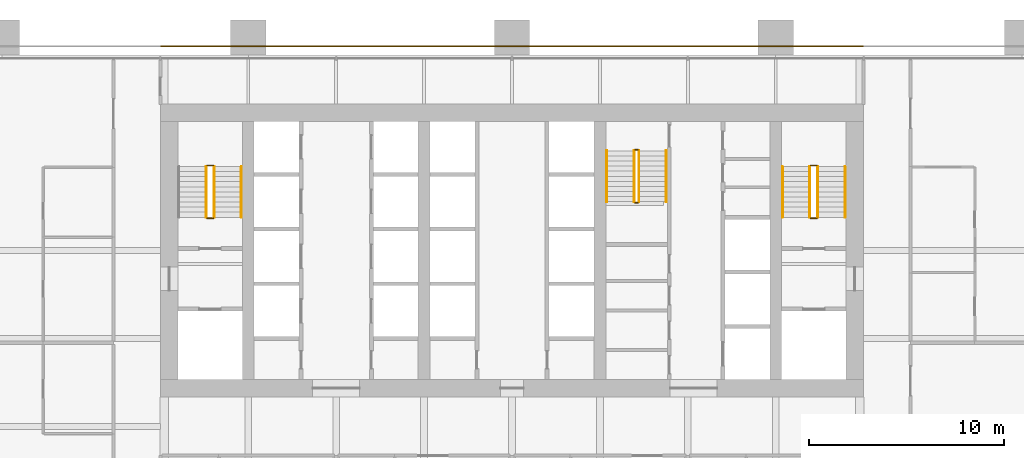
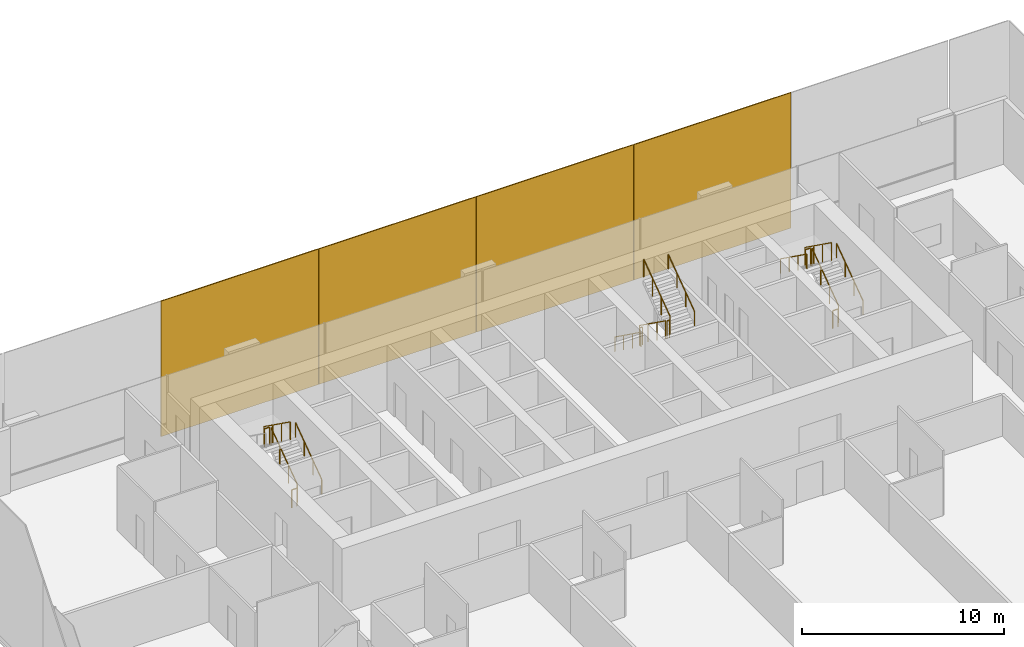
# One storey, part 17 of 18: 17 railings, 4 coverings.
"""IFC4 building model written with IfcOpenShell, lengths in metres."""

import ifcopenshell
import ifcopenshell.guid

model = None  # the IFC model being written
_history = None  # IfcOwnerHistory: only IFC2X3 demands one
_inside = {}  # id of a spatial element -> (the spatial element, [elements in it])
_under = {}  # id of a project, library or spatial element -> (it, [spatial elements below it])
_declared = {}  # id of a project -> (the project, [libraries it declares])
_typed = {}  # id of a type object -> (the type object, [elements of that type])
_made_of = {}  # id of a material, layer set ... -> (it, [elements and type objects made of it])


def new_model(schema):
    """Start an empty IFC model of exactly this schema.

    Asked for "IFC4X3", IfcOpenShell would pick the latest addendum, in which some entities
    have other attributes; the version numbers below select the first issue.
    IFC2X3 requires an IfcOwnerHistory on every rooted entity: one is made here for all.
    """
    global model, _history
    if schema == "IFC4X3":
        model = ifcopenshell.file(schema_version=(4, 3, 0, 0))
    else:
        model = ifcopenshell.file(schema=schema)
    _inside.clear()
    _under.clear()
    _declared.clear()
    _typed.clear()
    _made_of.clear()
    _history = None
    if model.schema == "IFC2X3":
        org = make("IfcOrganization", Name="unknown")
        user = make(
            "IfcPersonAndOrganization",
            ThePerson=make("IfcPerson", FamilyName="unknown"),
            TheOrganization=org,
        )
        app = make(
            "IfcApplication",
            ApplicationDeveloper=org,
            Version="unknown",
            ApplicationFullName="unknown",
            ApplicationIdentifier="unknown",
        )
        _history = make(
            "IfcOwnerHistory",
            OwningUser=user,
            OwningApplication=app,
            ChangeAction="ADDED",
            CreationDate=0,
        )
    return model


def make(cls, **values):
    """One entity of the class cls with the attributes given. An attribute that is None is left unset."""
    return model.create_entity(
        cls, **{name: value for name, value in values.items() if value is not None}
    )


def rooted(cls, **values):
    """An entity with a GlobalId (a new one), such as an element, a storey or a relation."""
    return make(cls, GlobalId=ifcopenshell.guid.new(), OwnerHistory=_history, **values)


def si_unit(unit_type, name, prefix=None):
    """IfcSIUnit, for example si_unit("LENGTHUNIT", "METRE", prefix="MILLI")."""
    return make("IfcSIUnit", UnitType=unit_type, Prefix=prefix, Name=name)


def assignment(units):
    """IfcUnitAssignment: the units of a project."""
    return None if units is None else make("IfcUnitAssignment", Units=units)


def point(xyz):
    """IfcCartesianPoint."""
    return None if xyz is None else make("IfcCartesianPoint", Coordinates=xyz)


def direction(xyz):
    """IfcDirection."""
    return None if xyz is None else make("IfcDirection", DirectionRatios=xyz)


def frame(location, z_axis=None, x_axis=None):
    """IfcAxis2Placement3D, a coordinate frame: its origin and axes. An axis left out is left unset."""
    return make(
        "IfcAxis2Placement3D",
        Location=point(location),
        Axis=direction(z_axis),
        RefDirection=direction(x_axis),
    )


def frame_2d(location, x_axis=None):
    """IfcAxis2Placement2D, a coordinate frame in the plane: its origin and x axis."""
    return make(
        "IfcAxis2Placement2D", Location=point(location), RefDirection=direction(x_axis)
    )


def origin():
    """The frame at (0, 0, 0) with its axes left unset."""
    return frame((0.0, 0.0, 0.0))


def origin_2d():
    """The frame at (0, 0) in the plane with its x axis left unset."""
    return frame_2d((0.0, 0.0))


def place(relative_to, where):
    """IfcLocalPlacement: puts the frame where relative to a parent placement (None: the world)."""
    return make(
        "IfcLocalPlacement", PlacementRelTo=relative_to, RelativePlacement=where
    )


def context(
    kind, dimensions, precision=None, world=None, true_north=None, identifier=None
):
    """IfcGeometricRepresentationContext, for example the 3D "Model" context."""
    return make(
        "IfcGeometricRepresentationContext",
        ContextIdentifier=identifier,
        ContextType=kind,
        CoordinateSpaceDimension=dimensions,
        Precision=precision,
        WorldCoordinateSystem=world,
        TrueNorth=true_north,
    )


def subcontext(parent, identifier, kind, view, scale=None):
    """IfcGeometricRepresentationSubContext, for example "Body" below "Model"."""
    return make(
        "IfcGeometricRepresentationSubContext",
        ContextIdentifier=identifier,
        ContextType=kind,
        ParentContext=parent,
        TargetScale=scale,
        TargetView=view,
    )


def project(units=None, contexts=None):
    """IfcProject with its units and contexts."""
    return rooted(
        "IfcProject",
        Name="project",
        RepresentationContexts=contexts,
        UnitsInContext=assignment(units),
    )


def spatial(cls, under=None, at=None, **own):
    """A site, building, storey or space (cls), placed at a placement, below another one or the project."""
    s = rooted(cls, ObjectPlacement=at, **own)
    if under is not None:
        _under.setdefault(under.id(), (under, []))[1].append(s)
    return s


def profile(cls, at=None, kind="AREA", **sizes):
    """A parametric profile (cls). Its sizes go by their IFC names, for example OverallWidth=200.0."""
    return make(cls, ProfileType=kind, Position=at, **sizes)


def rectangle(**sizes):
    """IfcRectangleProfileDef."""
    return profile("IfcRectangleProfileDef", **sizes)


def extrude(swept, where, along, depth):
    """IfcExtrudedAreaSolid: the profile swept, set in the frame where, extruded along a direction by depth."""
    return make(
        "IfcExtrudedAreaSolid",
        SweptArea=swept,
        Position=where,
        ExtrudedDirection=direction(along),
        Depth=depth,
    )


def shape(context_of_items, identifier, shape_type, items):
    """IfcShapeRepresentation: the items that make up one representation, for example the "Body"."""
    return make(
        "IfcShapeRepresentation",
        ContextOfItems=context_of_items,
        RepresentationIdentifier=identifier,
        RepresentationType=shape_type,
        Items=items,
    )


def material(Name=None, Category=None):
    """IfcMaterial."""
    return make("IfcMaterial", Name=Name, Category=Category)


def layer(
    of_material, thickness, ventilated=None, Name=None, Category=None, Priority=None
):
    """IfcMaterialLayer: one layer of a wall or slab, of a material (None: an air gap)."""
    return make(
        "IfcMaterialLayer",
        Material=of_material,
        LayerThickness=thickness,
        IsVentilated=ventilated,
        Name=Name,
        Category=Category,
        Priority=Priority,
    )


def layer_set(layers, Name=None):
    """IfcMaterialLayerSet."""
    return make("IfcMaterialLayerSet", MaterialLayers=layers, LayerSetName=Name)


def made_of(thing, what):
    """Note that an element or type object is made of a material, layer set ...; save() writes the relation."""
    if what is not None:
        _made_of.setdefault(what.id(), (what, []))[1].append(thing)
    return thing


def type_object(cls, material=None, **own):
    """A type object (cls), such as IfcWallType, which elements share."""
    return made_of(rooted(cls, **own), material)


def element(
    cls,
    number,
    at=None,
    inside=None,
    cuts=None,
    type_object=None,
    material=None,
    context=None,
    identifier="Body",
    shape_type=None,
    held_by="IfcProductDefinitionShape",
    body=None,
    shapes=None,
    **own,
):
    """One element of the class cls, such as IfcWall. Its Tag is "e" and its number.

    at: its placement. inside: the storey or other place that contains it. cuts: it is an
    opening in that element (IfcRelVoidsElement). A single representation is given by context,
    identifier, shape_type and body (its items); several are given by shapes. held_by: the class
    of the entity that holds the representations. save() writes the other relations.
    """
    e = rooted(cls, Tag="e%d" % number, ObjectPlacement=at, **own)
    if body is not None:
        shapes = [shape(context, identifier, shape_type, body)]
    if shapes is not None:
        e.Representation = make(held_by, Representations=shapes)
    if inside is not None:
        _inside.setdefault(inside.id(), (inside, []))[1].append(e)
    if cuts is not None:
        rooted(
            "IfcRelVoidsElement", RelatingBuildingElement=cuts, RelatedOpeningElement=e
        )
    if type_object is not None:
        _typed.setdefault(type_object.id(), (type_object, []))[1].append(e)
    return made_of(e, material)


def aggregate(whole, parts):
    """IfcRelAggregates: a whole, such as a stair, and the parts it consists of."""
    return rooted("IfcRelAggregates", RelatingObject=whole, RelatedObjects=parts)


def save(model, path):
    """Write the relations noted so far, then the file.

    IfcRelAggregates (storeys below a building ...), IfcRelContainedInSpatialStructure (elements
    in a storey), IfcRelDefinesByType, IfcRelAssociatesMaterial and IfcRelDeclares: one each for
    every whole, place, type object, material and project.
    """
    for whole, parts in _under.values():
        aggregate(whole, parts)
    for where, things in _inside.values():
        rooted(
            "IfcRelContainedInSpatialStructure",
            RelatedElements=things,
            RelatingStructure=where,
        )
    for kind, things in _typed.values():
        rooted("IfcRelDefinesByType", RelatedObjects=things, RelatingType=kind)
    for what, things in _made_of.values():
        rooted("IfcRelAssociatesMaterial", RelatedObjects=things, RelatingMaterial=what)
    for by, libraries in _declared.values():
        rooted("IfcRelDeclares", RelatingContext=by, RelatedDefinitions=libraries)
    model.write(path)


model = new_model("IFC4")

# Units and contexts
model_context = context("Model", 3, precision=1e-05, world=origin(), true_north=direction((0.0, 1.0)))
body_context = subcontext(model_context, "Body", "Model", "MODEL_VIEW")
ifc_project = project(units=[si_unit("LENGTHUNIT", "METRE"), si_unit("AREAUNIT", "SQUARE_METRE"), si_unit("VOLUMEUNIT", "CUBIC_METRE"), si_unit("PLANEANGLEUNIT", "RADIAN"), si_unit("MASSUNIT", "GRAM", prefix="KILO")], contexts=[model_context])

# Site, building, storey
site_placement = place(None, origin())
site = spatial("IfcSite", under=ifc_project, at=site_placement, CompositionType="ELEMENT")
building_placement = place(site_placement, origin())
building = spatial("IfcBuilding", under=site, at=building_placement, Name="Rattan Terrace Tower", CompositionType="ELEMENT")
storey_placement = place(building_placement, frame((0.0, 0.0, 57.0)))
storey = spatial("IfcBuildingStorey", under=building, at=storey_placement, Name="L12", CompositionType="ELEMENT", Elevation=57.0)

# Railings
ifc_material_1 = material(Name="Powder-coated steel guard", Category="steel")
railing_type_1 = type_object("IfcRailingType", Name="Core stair guard", PredefinedType="GUARDRAIL", material=ifc_material_1)
railing_1_placement = place(storey_placement, frame((-15.25, 1.699951171875, 0.186279296875)))
element("IfcRailing", 1, at=railing_1_placement, inside=storey, type_object=railing_type_1, Name="L12 S1 stair guard 1", PredefinedType="GUARDRAIL", context=body_context, shape_type="SweptSolid", body=[
    extrude(rectangle(XDim=0.048095703125, YDim=0.048095703125, at=origin_2d()), frame((0.0, 0.0, 1.076171875), z_axis=(0.0, 0.812762922914, 0.582594568406), x_axis=(-1.0, 0.0, 0.0)), (0.0, 0.0, 1.0), 3.198974609375),
    extrude(rectangle(XDim=0.0419921875, YDim=0.0419921875, at=origin_2d()), origin(), (0.0, 0.0, 1.0), 1.052001953125),
    extrude(rectangle(XDim=0.0419921875, YDim=0.0419921875, at=origin_2d()), frame((0.0, 0.86669921875, 0.621337890625)), (0.0, 0.0, 1.0), 1.052001953125),
    extrude(rectangle(XDim=0.0419921875, YDim=0.0419921875, at=origin_2d()), frame((0.0, 1.7333984375, 1.242431640625)), (0.0, 0.0, 1.0), 1.052001953125),
    extrude(rectangle(XDim=0.0419921875, YDim=0.0419921875, at=origin_2d()), frame((0.0, 2.60009765625, 1.86376953125)), (0.0, 0.0, 1.0), 1.052001953125),
])
railing_2_placement = place(storey_placement, frame((-15.300048828125, 4.35009765625, 2.050048828125)))
element("IfcRailing", 2, at=railing_2_placement, inside=storey, type_object=railing_type_1, Name="L12 S1 stair guard 2", PredefinedType="GUARDRAIL", context=body_context, shape_type="SweptSolid", body=[
    extrude(rectangle(XDim=0.048095703125, YDim=0.048095703125, at=origin_2d()), frame((0.0, 0.0, 1.076171875), z_axis=(-1.0, 0.0, 0.0), x_axis=(0.0, -1.0, 0.0)), (0.0, 0.0, 1.0), 0.300048828125),
    extrude(rectangle(XDim=0.0419921875, YDim=0.0419921875, at=origin_2d()), origin(), (0.0, 0.0, 1.0), 1.052001953125),
    extrude(rectangle(XDim=0.0419921875, YDim=0.0419921875, at=origin_2d()), frame((-0.300048828125, 0.0, 0.0)), (0.0, 0.0, 1.0), 1.052001953125),
])
railing_3_placement = place(storey_placement, frame((-15.64990234375, 4.300048828125, 2.236328125)))
element("IfcRailing", 3, at=railing_3_placement, inside=storey, type_object=railing_type_1, Name="L12 S1 stair guard 3", PredefinedType="GUARDRAIL", context=body_context, shape_type="SweptSolid", body=[
    extrude(rectangle(XDim=0.048095703125, YDim=0.048095703125, at=origin_2d()), frame((0.0, 0.0, 1.076171875), z_axis=(0.0, -0.812762922914, 0.582594568406), x_axis=(1.0, 0.0, 0.0)), (0.0, 0.0, 1.0), 3.198974609375),
    extrude(rectangle(XDim=0.0419921875, YDim=0.0419921875, at=origin_2d()), origin(), (0.0, 0.0, 1.0), 1.052001953125),
    extrude(rectangle(XDim=0.0419921875, YDim=0.0419921875, at=origin_2d()), frame((0.0, -0.86669921875, 0.621337890625)), (0.0, 0.0, 1.0), 1.052001953125),
    extrude(rectangle(XDim=0.0419921875, YDim=0.0419921875, at=origin_2d()), frame((0.0, -1.7333984375, 1.242431640625)), (0.0, 0.0, 1.0), 1.052001953125),
    extrude(rectangle(XDim=0.0419921875, YDim=0.0419921875, at=origin_2d()), frame((0.0, -2.60009765625, 1.86376953125)), (0.0, 0.0, 1.0), 1.052001953125),
])
railing_4_placement = place(storey_placement, frame((-15.300048828125, 1.64990234375, 0.0)))
element("IfcRailing", 4, at=railing_4_placement, inside=storey, type_object=railing_type_1, Name="L12 S1 stair guard 4", PredefinedType="GUARDRAIL", context=body_context, shape_type="SweptSolid", body=[
    extrude(rectangle(XDim=0.048095703125, YDim=0.048095703125, at=origin_2d()), frame((0.0, 0.0, 1.076171875), z_axis=(-1.0, 0.0, 0.0), x_axis=(0.0, -1.0, 0.0)), (0.0, 0.0, 1.0), 0.300048828125),
    extrude(rectangle(XDim=0.0419921875, YDim=0.0419921875, at=origin_2d()), origin(), (0.0, 0.0, 1.0), 1.052001953125),
    extrude(rectangle(XDim=0.0419921875, YDim=0.0419921875, at=origin_2d()), frame((-0.300048828125, 0.0, 0.0)), (0.0, 0.0, 1.0), 1.052001953125),
])
railing_5_placement = place(storey_placement, frame((15.64990234375, 1.699951171875, 0.186279296875)))
element("IfcRailing", 5, at=railing_5_placement, inside=storey, type_object=railing_type_1, Name="L12 S2 stair guard 1", PredefinedType="GUARDRAIL", context=body_context, shape_type="SweptSolid", body=[
    extrude(rectangle(XDim=0.048095703125, YDim=0.048095703125, at=origin_2d()), frame((0.0, 0.0, 1.076171875), z_axis=(0.0, 0.812762922914, 0.582594568406), x_axis=(-1.0, 0.0, 0.0)), (0.0, 0.0, 1.0), 3.198974609375),
    extrude(rectangle(XDim=0.0419921875, YDim=0.0419921875, at=origin_2d()), origin(), (0.0, 0.0, 1.0), 1.052001953125),
    extrude(rectangle(XDim=0.0419921875, YDim=0.0419921875, at=origin_2d()), frame((0.0, 0.86669921875, 0.621337890625)), (0.0, 0.0, 1.0), 1.052001953125),
    extrude(rectangle(XDim=0.0419921875, YDim=0.0419921875, at=origin_2d()), frame((0.0, 1.7333984375, 1.242431640625)), (0.0, 0.0, 1.0), 1.052001953125),
    extrude(rectangle(XDim=0.0419921875, YDim=0.0419921875, at=origin_2d()), frame((0.0, 2.60009765625, 1.86376953125)), (0.0, 0.0, 1.0), 1.052001953125),
])
railing_6_placement = place(storey_placement, frame((15.60009765625, 4.35009765625, 2.050048828125)))
element("IfcRailing", 6, at=railing_6_placement, inside=storey, type_object=railing_type_1, Name="L12 S2 stair guard 2", PredefinedType="GUARDRAIL", context=body_context, shape_type="SweptSolid", body=[
    extrude(rectangle(XDim=0.048095703125, YDim=0.048095703125, at=origin_2d()), frame((0.0, 0.0, 1.076171875), z_axis=(-1.0, 0.0, 0.0), x_axis=(0.0, -1.0, 0.0)), (0.0, 0.0, 1.0), 0.300048828125),
    extrude(rectangle(XDim=0.0419921875, YDim=0.0419921875, at=origin_2d()), origin(), (0.0, 0.0, 1.0), 1.052001953125),
    extrude(rectangle(XDim=0.0419921875, YDim=0.0419921875, at=origin_2d()), frame((-0.300048828125, 0.0, 0.0)), (0.0, 0.0, 1.0), 1.052001953125),
])
railing_7_placement = place(storey_placement, frame((15.25, 4.300048828125, 2.236328125)))
element("IfcRailing", 7, at=railing_7_placement, inside=storey, type_object=railing_type_1, Name="L12 S2 stair guard 3", PredefinedType="GUARDRAIL", context=body_context, shape_type="SweptSolid", body=[
    extrude(rectangle(XDim=0.048095703125, YDim=0.048095703125, at=origin_2d()), frame((0.0, 0.0, 1.076171875), z_axis=(0.0, -0.812762922914, 0.582594568406), x_axis=(1.0, 0.0, 0.0)), (0.0, 0.0, 1.0), 3.198974609375),
    extrude(rectangle(XDim=0.0419921875, YDim=0.0419921875, at=origin_2d()), origin(), (0.0, 0.0, 1.0), 1.052001953125),
    extrude(rectangle(XDim=0.0419921875, YDim=0.0419921875, at=origin_2d()), frame((0.0, -0.86669921875, 0.621337890625)), (0.0, 0.0, 1.0), 1.052001953125),
    extrude(rectangle(XDim=0.0419921875, YDim=0.0419921875, at=origin_2d()), frame((0.0, -1.7333984375, 1.242431640625)), (0.0, 0.0, 1.0), 1.052001953125),
    extrude(rectangle(XDim=0.0419921875, YDim=0.0419921875, at=origin_2d()), frame((0.0, -2.60009765625, 1.86376953125)), (0.0, 0.0, 1.0), 1.052001953125),
])
railing_8_placement = place(storey_placement, frame((15.60009765625, 1.64990234375, 0.0)))
element("IfcRailing", 8, at=railing_8_placement, inside=storey, type_object=railing_type_1, Name="L12 S2 stair guard 4", PredefinedType="GUARDRAIL", context=body_context, shape_type="SweptSolid", body=[
    extrude(rectangle(XDim=0.048095703125, YDim=0.048095703125, at=origin_2d()), frame((0.0, 0.0, 1.076171875), z_axis=(-1.0, 0.0, 0.0), x_axis=(0.0, -1.0, 0.0)), (0.0, 0.0, 1.0), 0.300048828125),
    extrude(rectangle(XDim=0.0419921875, YDim=0.0419921875, at=origin_2d()), origin(), (0.0, 0.0, 1.0), 1.052001953125),
    extrude(rectangle(XDim=0.0419921875, YDim=0.0419921875, at=origin_2d()), frame((-0.300048828125, 0.0, 0.0)), (0.0, 0.0, 1.0), 1.052001953125),
])
railing_9_placement = place(storey_placement, frame((6.25, 5.10009765625, 0.186279296875)))
element("IfcRailing", 9, at=railing_9_placement, inside=storey, type_object=railing_type_1, Name="L12 S3 stair guard 1", PredefinedType="GUARDRAIL", context=body_context, shape_type="SweptSolid", body=[
    extrude(rectangle(XDim=0.048095703125, YDim=0.048095703125, at=origin_2d()), frame((0.0, 0.0, 1.076171875), z_axis=(0.0, -0.812762922914, 0.582594568406), x_axis=(1.0, 0.0, 0.0)), (0.0, 0.0, 1.0), 3.198974609375),
    extrude(rectangle(XDim=0.0419921875, YDim=0.0419921875, at=origin_2d()), origin(), (0.0, 0.0, 1.0), 1.052001953125),
    extrude(rectangle(XDim=0.0419921875, YDim=0.0419921875, at=origin_2d()), frame((0.0, -0.86669921875, 0.621337890625)), (0.0, 0.0, 1.0), 1.052001953125),
    extrude(rectangle(XDim=0.0419921875, YDim=0.0419921875, at=origin_2d()), frame((0.0, -1.7333984375, 1.242431640625)), (0.0, 0.0, 1.0), 1.052001953125),
    extrude(rectangle(XDim=0.0419921875, YDim=0.0419921875, at=origin_2d()), frame((0.0, -2.60009765625, 1.86376953125)), (0.0, 0.0, 1.0), 1.052001953125),
])
railing_10_placement = place(storey_placement, frame((6.300048828125, 2.449951171875, 2.050048828125)))
element("IfcRailing", 10, at=railing_10_placement, inside=storey, type_object=railing_type_1, Name="L12 S3 stair guard 2", PredefinedType="GUARDRAIL", context=body_context, shape_type="SweptSolid", body=[
    extrude(rectangle(XDim=0.048095703125, YDim=0.048095703125, at=origin_2d()), frame((0.0, 0.0, 1.076171875), z_axis=(1.0, 0.0, 0.0), x_axis=(0.0, 1.0, 0.0)), (0.0, 0.0, 1.0), 0.14990234375),
    extrude(rectangle(XDim=0.0419921875, YDim=0.0419921875, at=origin_2d()), origin(), (0.0, 0.0, 1.0), 1.052001953125),
    extrude(rectangle(XDim=0.0419921875, YDim=0.0419921875, at=origin_2d()), frame((0.14990234375, 0.0, 0.0)), (0.0, 0.0, 1.0), 1.052001953125),
])
railing_11_placement = place(storey_placement, frame((6.5, 2.5, 2.236328125)))
element("IfcRailing", 11, at=railing_11_placement, inside=storey, type_object=railing_type_1, Name="L12 S3 stair guard 3", PredefinedType="GUARDRAIL", context=body_context, shape_type="SweptSolid", body=[
    extrude(rectangle(XDim=0.048095703125, YDim=0.048095703125, at=origin_2d()), frame((0.0, 0.0, 1.076171875), z_axis=(0.0, 0.812762922914, 0.582594568406), x_axis=(-1.0, 0.0, 0.0)), (0.0, 0.0, 1.0), 3.198974609375),
    extrude(rectangle(XDim=0.0419921875, YDim=0.0419921875, at=origin_2d()), origin(), (0.0, 0.0, 1.0), 1.052001953125),
    extrude(rectangle(XDim=0.0419921875, YDim=0.0419921875, at=origin_2d()), frame((0.0, 0.86669921875, 0.621337890625)), (0.0, 0.0, 1.0), 1.052001953125),
    extrude(rectangle(XDim=0.0419921875, YDim=0.0419921875, at=origin_2d()), frame((0.0, 1.7333984375, 1.242431640625)), (0.0, 0.0, 1.0), 1.052001953125),
    extrude(rectangle(XDim=0.0419921875, YDim=0.0419921875, at=origin_2d()), frame((0.0, 2.60009765625, 1.86376953125)), (0.0, 0.0, 1.0), 1.052001953125),
])
railing_12_placement = place(storey_placement, frame((6.300048828125, 5.14990234375, 0.0)))
element("IfcRailing", 12, at=railing_12_placement, inside=storey, type_object=railing_type_1, Name="L12 S3 stair guard 4", PredefinedType="GUARDRAIL", context=body_context, shape_type="SweptSolid", body=[
    extrude(rectangle(XDim=0.048095703125, YDim=0.048095703125, at=origin_2d()), frame((0.0, 0.0, 1.076171875), z_axis=(1.0, 0.0, 0.0), x_axis=(0.0, 1.0, 0.0)), (0.0, 0.0, 1.0), 0.14990234375),
    extrude(rectangle(XDim=0.0419921875, YDim=0.0419921875, at=origin_2d()), origin(), (0.0, 0.0, 1.0), 1.052001953125),
    extrude(rectangle(XDim=0.0419921875, YDim=0.0419921875, at=origin_2d()), frame((0.14990234375, 0.0, 0.0)), (0.0, 0.0, 1.0), 1.052001953125),
])
ifc_material_2 = material(Name="Powder-coated steel handrail", Category="steel")
railing_type_2 = type_object("IfcRailingType", Name="Core stair handrail", PredefinedType="HANDRAIL", material=ifc_material_2)
for number, where, name in (
    (13, (-13.85009765625, 1.699951171875, 0.186279296875), "L12 S1 stair handrail 1"),
    (14, (17.050048828125, 1.699951171875, 0.186279296875), "L12 S2 stair handrail 1"),
):
    element("IfcRailing", number, at=place(storey_placement, frame(where)), inside=storey, type_object=railing_type_2, Name=name, PredefinedType="HANDRAIL", context=body_context, shape_type="SweptSolid", body=[
        extrude(rectangle(XDim=0.048095703125, YDim=0.048095703125, at=origin_2d()), frame((0.0, 0.0, 0.8759765625), z_axis=(0.0, 0.812762922914, 0.582594568406), x_axis=(-1.0, 0.0, 0.0)), (0.0, 0.0, 1.0), 3.198974609375),
        extrude(rectangle(XDim=0.0419921875, YDim=0.0419921875, at=origin_2d()), origin(), (0.0, 0.0, 1.0), 0.851806640625),
        extrude(rectangle(XDim=0.0419921875, YDim=0.0419921875, at=origin_2d()), frame((0.0, 0.86669921875, 0.621337890625)), (0.0, 0.0, 1.0), 0.851806640625),
        extrude(rectangle(XDim=0.0419921875, YDim=0.0419921875, at=origin_2d()), frame((0.0, 1.7333984375, 1.242431640625)), (0.0, 0.0, 1.0), 0.851806640625),
        extrude(rectangle(XDim=0.0419921875, YDim=0.0419921875, at=origin_2d()), frame((0.0, 2.60009765625, 1.86376953125)), (0.0, 0.0, 1.0), 0.851806640625),
    ])
for number, where, name in (
    (15, (13.85009765625, 4.300048828125, 2.236328125), "L12 S2 stair handrail 2"),
    (16, (4.85009765625, 5.10009765625, 0.186279296875), "L12 S3 stair handrail 1"),
):
    element("IfcRailing", number, at=place(storey_placement, frame(where)), inside=storey, type_object=railing_type_2, Name=name, PredefinedType="HANDRAIL", context=body_context, shape_type="SweptSolid", body=[
        extrude(rectangle(XDim=0.048095703125, YDim=0.048095703125, at=origin_2d()), frame((0.0, 0.0, 0.8759765625), z_axis=(0.0, -0.812762922914, 0.582594568406), x_axis=(1.0, 0.0, 0.0)), (0.0, 0.0, 1.0), 3.198974609375),
        extrude(rectangle(XDim=0.0419921875, YDim=0.0419921875, at=origin_2d()), origin(), (0.0, 0.0, 1.0), 0.851806640625),
        extrude(rectangle(XDim=0.0419921875, YDim=0.0419921875, at=origin_2d()), frame((0.0, -0.86669921875, 0.621337890625)), (0.0, 0.0, 1.0), 0.851806640625),
        extrude(rectangle(XDim=0.0419921875, YDim=0.0419921875, at=origin_2d()), frame((0.0, -1.7333984375, 1.242431640625)), (0.0, 0.0, 1.0), 0.851806640625),
        extrude(rectangle(XDim=0.0419921875, YDim=0.0419921875, at=origin_2d()), frame((0.0, -2.60009765625, 1.86376953125)), (0.0, 0.0, 1.0), 0.851806640625),
    ])
railing_13_placement = place(storey_placement, frame((7.89990234375, 2.5, 2.236328125)))
element("IfcRailing", 17, at=railing_13_placement, inside=storey, type_object=railing_type_2, Name="L12 S3 stair handrail 2", PredefinedType="HANDRAIL", context=body_context, shape_type="SweptSolid", body=[
    extrude(rectangle(XDim=0.048095703125, YDim=0.048095703125, at=origin_2d()), frame((0.0, 0.0, 0.8759765625), z_axis=(0.0, 0.812762922914, 0.582594568406), x_axis=(-1.0, 0.0, 0.0)), (0.0, 0.0, 1.0), 3.198974609375),
    extrude(rectangle(XDim=0.0419921875, YDim=0.0419921875, at=origin_2d()), origin(), (0.0, 0.0, 1.0), 0.851806640625),
    extrude(rectangle(XDim=0.0419921875, YDim=0.0419921875, at=origin_2d()), frame((0.0, 0.86669921875, 0.621337890625)), (0.0, 0.0, 1.0), 0.851806640625),
    extrude(rectangle(XDim=0.0419921875, YDim=0.0419921875, at=origin_2d()), frame((0.0, 1.7333984375, 1.242431640625)), (0.0, 0.0, 1.0), 0.851806640625),
    extrude(rectangle(XDim=0.0419921875, YDim=0.0419921875, at=origin_2d()), frame((0.0, 2.60009765625, 1.86376953125)), (0.0, 0.0, 1.0), 0.851806640625),
])

# Coverings
ifc_material_3 = material(Name="Perforated terracotta", Category="masonry")
ifc_layer = layer(ifc_material_3, 0.06005859375)
ifc_layer_set = layer_set([ifc_layer], Name="Facade Terracotta Screen Panel")
covering_type = type_object("IfcCoveringType", Name="Facade Terracotta Screen Panel", PredefinedType="CLADDING", material=ifc_layer_set)
for number, where, z_axis, x_axis, name in (
    (18, (13.5, 10.449951171875, -0.18994140625), (0.0, 0.0, 1.0), (-1.0, 0.0, 0.0), "OUTER SKIN panel L12-16"),
    (19, (4.5, 10.449951171875, -0.18994140625), (0.0, 0.0, 1.0), (-1.0, 0.0, 0.0), "OUTER SKIN panel L12-17"),
    (20, (-4.5, 10.449951171875, -0.18994140625), (0.0, 0.0, 1.0), (-1.0, 0.0, 0.0), "OUTER SKIN panel L12-18"),
    (21, (-13.5, 10.449951171875, -0.18994140625), (0.0, 0.0, 1.0), (-1.0, 0.0, 0.0), "OUTER SKIN panel L12-19"),
):
    element("IfcCovering", number, at=place(storey_placement, frame(where, z_axis=z_axis, x_axis=x_axis)), inside=storey, type_object=covering_type, Name=name, PredefinedType="CLADDING", context=body_context, shape_type="SweptSolid", body=[
        extrude(rectangle(XDim=8.97998046875, YDim=0.06005859375, at=origin_2d()), origin(), (0.0, 0.0, 1.0), 8.179931640625),
    ])

save(model, "model.ifc")
